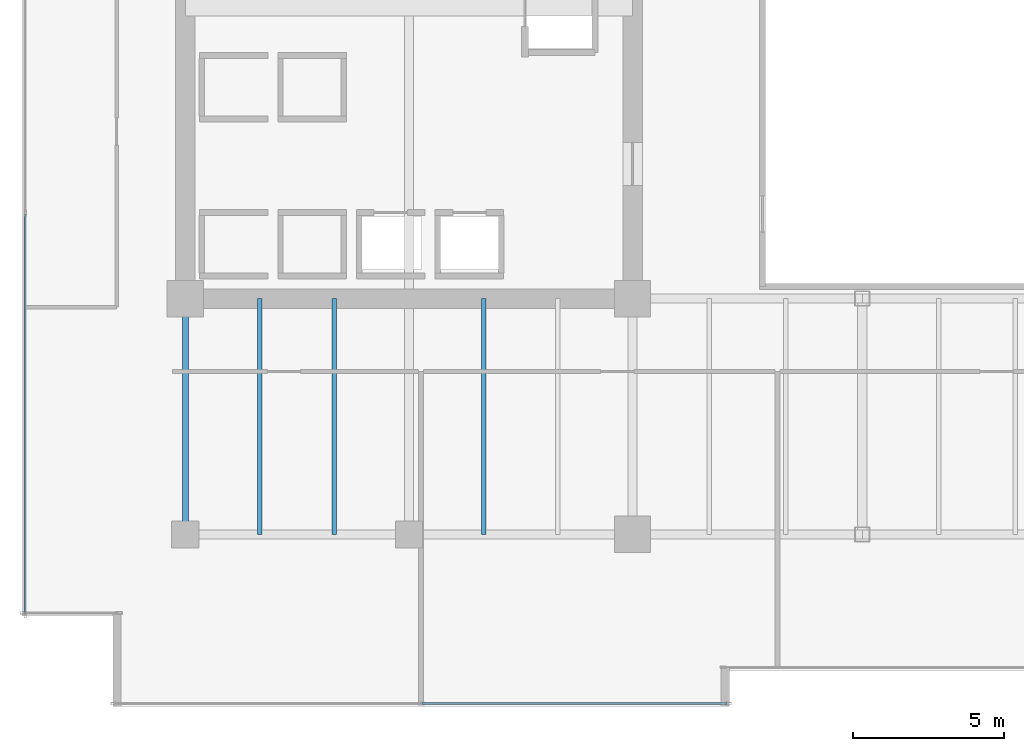
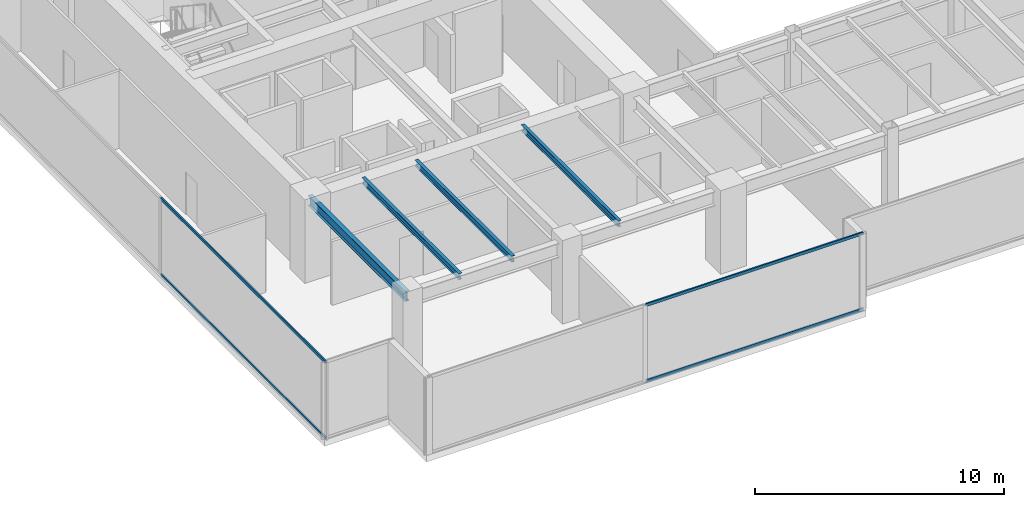
# One storey, part 3 of 30: 4 beams, 4 members, 2 elements without a shape of their own.
"""IFC4 building model written with IfcOpenShell, lengths in metres."""

from ifc_helpers import new_model, si_unit, direction, frame, origin, origin_2d, place, context, subcontext, project, spatial, hollow_rectangle, i_section, extrude, source, transform, mapped, material, layer, layer_set, material_profile, profile_set, type_object, type_shapes, element, aggregate, save


model = new_model("IFC4")

# Units and contexts
model_context = context("Model", 3, precision=1e-05, world=origin(), true_north=direction((0.0, 1.0)))
body_context = subcontext(model_context, "Body", "Model", "MODEL_VIEW")
ifc_project = project(units=[si_unit("LENGTHUNIT", "METRE"), si_unit("AREAUNIT", "SQUARE_METRE"), si_unit("VOLUMEUNIT", "CUBIC_METRE"), si_unit("PLANEANGLEUNIT", "RADIAN"), si_unit("MASSUNIT", "GRAM", prefix="KILO")], contexts=[model_context])

# Site, building, storey
site_placement = place(None, origin())
site = spatial("IfcSite", under=ifc_project, at=site_placement, CompositionType="ELEMENT")
building_placement = place(site_placement, origin())
building = spatial("IfcBuilding", under=site, at=building_placement, Name="Haelvirn Gate Laboratories", CompositionType="ELEMENT")
storey_placement = place(building_placement, frame((0.0, 0.0, 105.10009765625)))
storey = spatial("IfcBuildingStorey", under=building, at=storey_placement, Name="L25", CompositionType="ELEMENT", Elevation=105.10009765625)

# Beams
ifc_material_1 = material(Name="Steel SM355", Category="steel")
ifc_material_profile_1 = material_profile(ifc_material_1, i_section(OverallWidth=0.199951171875, OverallDepth=0.5, WebThickness=0.010009765625, FlangeThickness=0.01611328125, at=origin_2d()), Name="H-500x200x10x16")
ifc_profile_set_1 = profile_set([ifc_material_profile_1], Name="Steel SM355")
beam_type_1 = type_object("IfcBeamType", Name="BM-SP-500", PredefinedType="SPANDREL", material=ifc_profile_set_1)
shared_shape_1 = source(origin(), body_context, "Body", "SweptSolid", [
    extrude(i_section(OverallWidth=0.199951171875, OverallDepth=0.5, WebThickness=0.010009765625, FlangeThickness=0.01611328125, at=origin_2d()), origin(), (0.0, 0.0, 1.0), 7.800048828125),
])
type_shapes(beam_type_1, [shared_shape_1])
beam_placement = place(storey_placement, frame((7.39990234375, 7.0, 3.539794921875), z_axis=(0.0, 1.0, 0.0), x_axis=(-1.0, 0.0, 0.0)))
element("IfcBeam", 1, at=beam_placement, inside=storey, type_object=beam_type_1, Name="L25 Perimeter Spandrel X7.4 (7.0-14.8)", PredefinedType="SPANDREL", context=body_context, shape_type="MappedRepresentation", body=[
    mapped(shared_shape_1, transform((0.0, 0.0, 0.0), scale=1.0)),
])
ifc_material_profile_2 = material_profile(ifc_material_1, i_section(OverallWidth=0.14990234375, OverallDepth=0.300048828125, WebThickness=0.006591796875, FlangeThickness=0.009033203125, at=origin_2d()), Name="H-300x150x6.5x9")
ifc_profile_set_2 = profile_set([ifc_material_profile_2], Name="Steel SM355")
beam_type_2 = type_object("IfcBeamType", Name="BM-J-300", PredefinedType="JOIST", material=ifc_profile_set_2)
shared_shape_2 = source(origin(), body_context, "Body", "SweptSolid", [
    extrude(i_section(OverallWidth=0.14990234375, OverallDepth=0.300048828125, WebThickness=0.006591796875, FlangeThickness=0.009033203125, at=origin_2d()), origin(), (0.0, 0.0, 1.0), 7.800048828125),
])
type_shapes(beam_type_2, [shared_shape_2])
for number, where, z_axis, x_axis, name in (
    (2, (9.8701171875, 7.0, 3.639892578125), (0.0, 1.0, 0.0), (-1.0, 0.0, 0.0), "L25 Composite Lab Joist South X9.87"),
    (3, (12.330078125, 7.0, 3.639892578125), (0.0, 1.0, 0.0), (-1.0, 0.0, 0.0), "L25 Composite Lab Joist South X12.33"),
    (4, (17.27001953125, 7.0, 3.639892578125), (0.0, 1.0, 0.0), (-1.0, 0.0, 0.0), "L25 Composite Lab Joist South X17.27"),
):
    element("IfcBeam", number, at=place(storey_placement, frame(where, z_axis=z_axis, x_axis=x_axis)), inside=storey, type_object=beam_type_2, Name=name, PredefinedType="JOIST", context=body_context, shape_type="MappedRepresentation", body=[
        mapped(shared_shape_2, transform((0.0, 0.0, 0.0), scale=1.0)),
    ])

# Curtain wall, members
ifc_material_2 = material(Name="Anodised bronze unitised aluminium & triple low-E glass", Category="aluminium")
ifc_layer = layer(ifc_material_2, 0.179931640625, Name="CW-SYS-3")
ifc_layer_set = layer_set([ifc_layer], Name="Anodised bronze unitised aluminium & triple low-E glass")
curtain_wall_type = type_object("IfcCurtainWallType", Name="CW-SYS-3", PredefinedType="NOTDEFINED", material=ifc_layer_set)
curtain_wall_1_placement = place(storey_placement, origin())
curtain_wall_1 = element("IfcCurtainWall", 5, at=curtain_wall_1_placement, inside=storey, type_object=curtain_wall_type, Name="L25 Unitised Curtain Wall CW-L25-P0-E00-1", PredefinedType="NOTDEFINED")
ifc_material_3 = material(Name="Extruded aluminium 6063-T6 (anodised bronze)", Category="aluminium")
ifc_material_profile_3 = material_profile(ifc_material_3, hollow_rectangle(XDim=0.06494140625, YDim=0.139892578125, WallThickness=0.00390625, at=origin_2d()), Name="CWT-140x65x4")
ifc_profile_set_3 = profile_set([ifc_material_profile_3], Name="Extruded aluminium 6063-T6 (anodised bronze)")
member_type = type_object("IfcMemberType", Name="CWT-T140", PredefinedType="USERDEFINED", material=ifc_profile_set_3)
shared_shape_3 = source(origin(), body_context, "Body", "SweptSolid", [
    extrude(hollow_rectangle(XDim=0.06494140625, YDim=0.139892578125, WallThickness=0.00390625, at=origin_2d()), origin(), (0.0, 0.0, 1.0), 10.08740234375),
])
member_1_placement = place(storey_placement, frame((15.237548828125, 1.39990234375, 0.032470703125), z_axis=(1.0, 0.0, 0.0), x_axis=(0.0, 1.0, 0.0)))
member_1 = element("IfcMember", 6, at=member_1_placement, type_object=member_type, Name="CW3 transom 2.1", ObjectType="TRANSOM", PredefinedType="USERDEFINED", context=body_context, shape_type="MappedRepresentation", body=[
    mapped(shared_shape_3, transform((0.0, 0.0, 0.0), scale=1.0)),
])
member_2_placement = place(storey_placement, frame((15.237548828125, 1.39990234375, 3.75732421875), z_axis=(1.0, 0.0, 0.0), x_axis=(0.0, 1.0, 0.0)))
member_2 = element("IfcMember", 7, at=member_2_placement, type_object=member_type, Name="CW3 transom 2.2", ObjectType="TRANSOM", PredefinedType="USERDEFINED", context=body_context, shape_type="MappedRepresentation", body=[
    mapped(shared_shape_3, transform((0.0, 0.0, 0.0), scale=1.0)),
])
aggregate(curtain_wall_1, [member_1, member_2])

curtain_wall_2_placement = place(storey_placement, origin())
curtain_wall_2 = element("IfcCurtainWall", 8, at=curtain_wall_2_placement, inside=storey, type_object=curtain_wall_type, Name="L25 Unitised Curtain Wall CW-L25-P0-E17", PredefinedType="NOTDEFINED")
shared_shape_4 = source(origin(), body_context, "Body", "SweptSolid", [
    extrude(hollow_rectangle(XDim=0.06494140625, YDim=0.139892578125, WallThickness=0.00390625, at=origin_2d()), origin(), (0.0, 0.0, 1.0), 13.220947265625),
])
type_shapes(member_type, [shared_shape_3, shared_shape_4])
member_3_placement = place(storey_placement, frame((2.10009765625, 17.595947265625, 0.032470703125), z_axis=(0.0, -1.0, 0.0), x_axis=(1.0, 0.0, 0.0)))
member_3 = element("IfcMember", 9, at=member_3_placement, type_object=member_type, Name="CW3 transom 3.1", ObjectType="TRANSOM", PredefinedType="USERDEFINED", context=body_context, shape_type="MappedRepresentation", body=[
    mapped(shared_shape_4, transform((0.0, 0.0, 0.0), scale=1.0)),
])
member_4_placement = place(storey_placement, frame((2.10009765625, 17.595947265625, 3.75732421875), z_axis=(0.0, -1.0, 0.0), x_axis=(1.0, 0.0, 0.0)))
member_4 = element("IfcMember", 10, at=member_4_placement, type_object=member_type, Name="CW3 transom 3.2", ObjectType="TRANSOM", PredefinedType="USERDEFINED", context=body_context, shape_type="MappedRepresentation", body=[
    mapped(shared_shape_4, transform((0.0, 0.0, 0.0), scale=1.0)),
])
aggregate(curtain_wall_2, [member_3, member_4])

save(model, "model.ifc")
